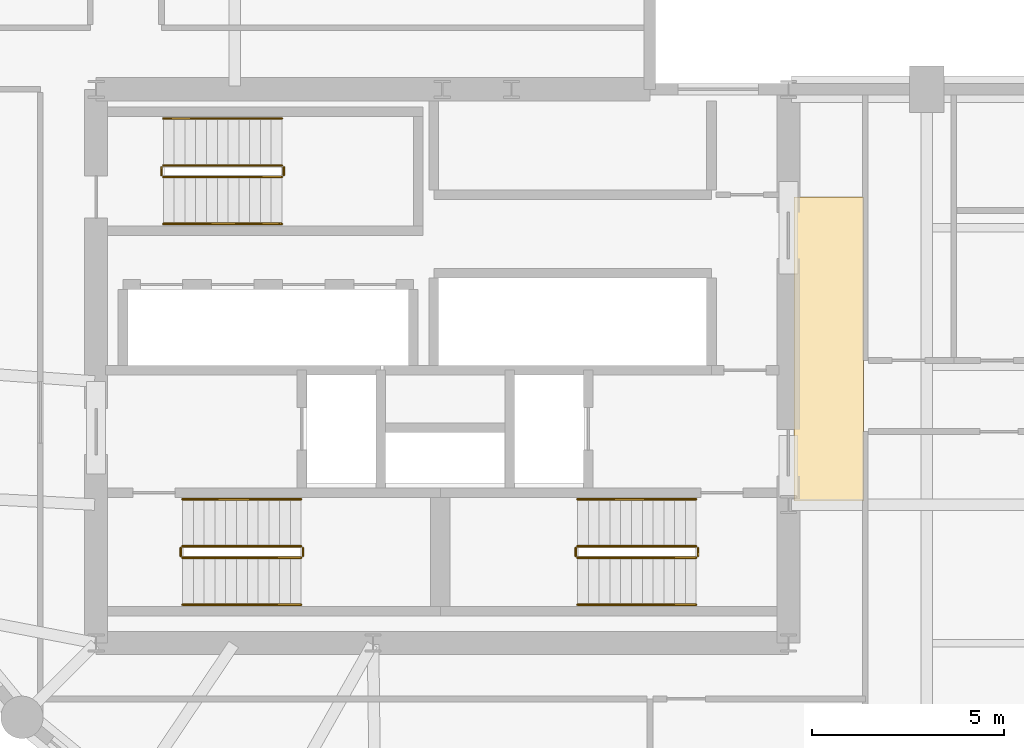
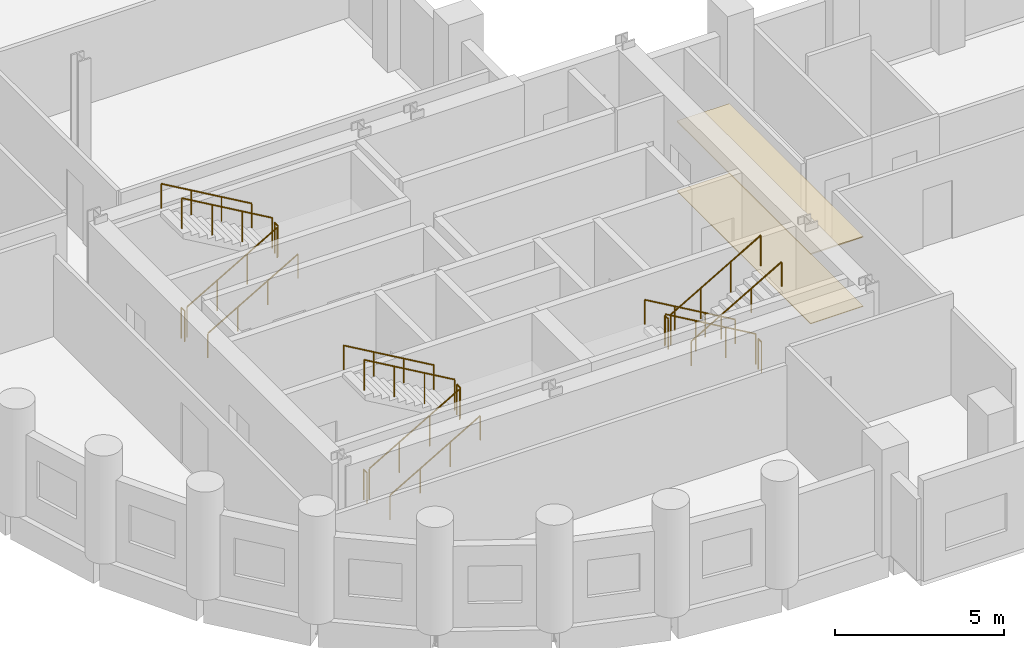
# One storey, part 9 of 9: 18 railings, 2 coverings.
"""IFC4 building model written with IfcOpenShell, lengths in metres."""

from ifc_helpers import new_model, si_unit, direction, frame, origin, origin_2d, place, context, subcontext, project, spatial, polyline, circle, outline, extrude, material, layer, layer_set, type_object, element, save


model = new_model("IFC4")

# Units and contexts
model_context = context("Model", 3, precision=1e-05, world=origin(), true_north=direction((0.0, 1.0)))
body_context = subcontext(model_context, "Body", "Model", "MODEL_VIEW")
ifc_project = project(units=[si_unit("LENGTHUNIT", "METRE"), si_unit("AREAUNIT", "SQUARE_METRE"), si_unit("VOLUMEUNIT", "CUBIC_METRE"), si_unit("PLANEANGLEUNIT", "RADIAN"), si_unit("MASSUNIT", "GRAM", prefix="KILO")], contexts=[model_context])

# Site, building, storey
site_placement = place(None, origin())
site = spatial("IfcSite", under=ifc_project, at=site_placement, CompositionType="ELEMENT")
building_placement = place(site_placement, origin())
building = spatial("IfcBuilding", under=site, at=building_placement, Name="Solnavia Interchange Tower", CompositionType="ELEMENT")
storey_placement = place(building_placement, frame((0.0, 0.0, 59.10009765625)))
storey = spatial("IfcBuildingStorey", under=building, at=storey_placement, Name="L14", CompositionType="ELEMENT", Elevation=59.10009765625)

# Coverings
ifc_material_1 = material(Name="Perforated Mineral-Fibre & Gypsum Ceiling", Category="gypsum")
ifc_layer_1 = layer(ifc_material_1, 0.0400390625)
ifc_layer_set_1 = layer_set([ifc_layer_1], Name="Perforated Mineral-Fibre & Gypsum Ceiling")
covering_type_1 = type_object("IfcCoveringType", Name="Covering-Ceiling-Acoustic40", PredefinedType="CEILING", material=ifc_layer_set_1)
covering_1_placement = place(storey_placement, frame((0.0, 0.0, 2.5)))
element("IfcCovering", 1, at=covering_1_placement, inside=storey, type_object=covering_type_1, Name="CLG-L14-01 Circulation suspended acoustic ceiling", PredefinedType="CEILING", context=body_context, shape_type="SweptSolid", body=[
    extrude(outline(polyline([(32.550048828125, 14.5), (34.35009765625, 14.5), (34.35009765625, 22.39990234375), (32.550048828125, 22.39990234375), (32.550048828125, 14.5)])), origin(), (0.0, 0.0, 1.0), 0.039794921875),
])
ifc_material_2 = material(Name="Polished Alicante Stone Terrazzo", Category="masonry")
ifc_layer_2 = layer(ifc_material_2, 0.02490234375)
ifc_layer_set_2 = layer_set([ifc_layer_2], Name="Polished Alicante Stone Terrazzo")
covering_type_2 = type_object("IfcCoveringType", Name="Covering-Flooring-Terrazzo25", PredefinedType="FLOORING", material=ifc_layer_set_2)
covering_2_placement = place(storey_placement, origin())
element("IfcCovering", 2, at=covering_2_placement, inside=storey, type_object=covering_type_2, Name="FLR-L14-01 Circulation floor finish", PredefinedType="FLOORING", context=body_context, shape_type="SweptSolid", body=[
    extrude(outline(polyline([(32.550048828125, 14.5), (34.35009765625, 14.5), (34.35009765625, 22.39990234375), (32.550048828125, 22.39990234375), (32.550048828125, 14.5)])), origin(), (0.0, 0.0, 1.0), 0.02490234375),
])

# Railings
ifc_material_3 = material(Name="Painted Steel Balustrade", Category="steel")
railing_type_1 = type_object("IfcRailingType", Name="Railing-StairGuard-1100", PredefinedType="GUARDRAIL", material=ifc_material_3)
railing_1_placement = place(storey_placement, frame((16.64990234375, 13.02001953125, 0.162353515625)))
element("IfcRailing", 3, at=railing_1_placement, inside=storey, type_object=railing_type_1, Name="L14 ST-1 stair guard 1", PredefinedType="GUARDRAIL", context=body_context, shape_type="SweptSolid", body=[
    extrude(circle(Radius=0.02392578125, at=origin_2d()), frame((0.0, 0.0, 1.09619140625), z_axis=(0.864890721111, 0.0, 0.501960198159), x_axis=(0.0, 1.0, 0.0)), (0.0, 0.0, 1.0), 3.561279296875),
    extrude(circle(Radius=0.02099609375, at=origin_2d()), origin(), (0.0, 0.0, 1.0), 1.072021484375),
    extrude(circle(Radius=0.02099609375, at=origin_2d()), frame((1.026611328125, 0.0, 0.595947265625)), (0.0, 0.0, 1.0), 1.072021484375),
    extrude(circle(Radius=0.02099609375, at=origin_2d()), frame((2.053466796875, 0.0, 1.191650390625)), (0.0, 0.0, 1.0), 1.072021484375),
    extrude(circle(Radius=0.02099609375, at=origin_2d()), frame((3.080078125, 0.0, 1.78759765625)), (0.0, 0.0, 1.0), 1.072021484375),
])
railing_2_placement = place(storey_placement, frame((19.780029296875, 13.070068359375, 1.949951171875)))
element("IfcRailing", 4, at=railing_2_placement, inside=storey, type_object=railing_type_1, Name="L14 ST-1 stair guard 2", PredefinedType="GUARDRAIL", context=body_context, shape_type="SweptSolid", body=[
    extrude(circle(Radius=0.02392578125, at=origin_2d()), frame((0.0, 0.0, 1.09619140625), z_axis=(0.0, 1.0, 0.0), x_axis=(-1.0, 0.0, 0.0)), (0.0, 0.0, 1.0), 0.199951171875),
    extrude(circle(Radius=0.02099609375, at=origin_2d()), origin(), (0.0, 0.0, 1.0), 1.072021484375),
    extrude(circle(Radius=0.02099609375, at=origin_2d()), frame((0.0, 0.199951171875, 0.0)), (0.0, 0.0, 1.0), 1.072021484375),
])
railing_3_placement = place(storey_placement, frame((19.72998046875, 13.320068359375, 2.1123046875)))
element("IfcRailing", 5, at=railing_3_placement, inside=storey, type_object=railing_type_1, Name="L14 ST-1 stair guard 3", PredefinedType="GUARDRAIL", context=body_context, shape_type="SweptSolid", body=[
    extrude(circle(Radius=0.02392578125, at=origin_2d()), frame((0.0, 0.0, 1.09619140625), z_axis=(-0.864890721111, 0.0, 0.501960198159), x_axis=(0.0, -1.0, 0.0)), (0.0, 0.0, 1.0), 3.561279296875),
    extrude(circle(Radius=0.02099609375, at=origin_2d()), origin(), (0.0, 0.0, 1.0), 1.072021484375),
    extrude(circle(Radius=0.02099609375, at=origin_2d()), frame((-1.026611328125, 0.0, 0.595947265625)), (0.0, 0.0, 1.0), 1.072021484375),
    extrude(circle(Radius=0.02099609375, at=origin_2d()), frame((-2.053466796875, 0.0, 1.191650390625)), (0.0, 0.0, 1.0), 1.072021484375),
    extrude(circle(Radius=0.02099609375, at=origin_2d()), frame((-3.080078125, 0.0, 1.78759765625)), (0.0, 0.0, 1.0), 1.072021484375),
])
railing_4_placement = place(storey_placement, frame((16.60009765625, 13.070068359375, 0.0)))
element("IfcRailing", 6, at=railing_4_placement, inside=storey, type_object=railing_type_1, Name="L14 ST-1 stair guard 4", PredefinedType="GUARDRAIL", context=body_context, shape_type="SweptSolid", body=[
    extrude(circle(Radius=0.02392578125, at=origin_2d()), frame((0.0, 0.0, 1.09619140625), z_axis=(0.0, 1.0, 0.0), x_axis=(-1.0, 0.0, 0.0)), (0.0, 0.0, 1.0), 0.199951171875),
    extrude(circle(Radius=0.02099609375, at=origin_2d()), origin(), (0.0, 0.0, 1.0), 1.072021484375),
    extrude(circle(Radius=0.02099609375, at=origin_2d()), frame((0.0, 0.199951171875, 0.0)), (0.0, 0.0, 1.0), 1.072021484375),
])
railing_5_placement = place(storey_placement, frame((30.0, 13.320068359375, 0.162353515625)))
element("IfcRailing", 7, at=railing_5_placement, inside=storey, type_object=railing_type_1, Name="L14 ST-2 stair guard 1", PredefinedType="GUARDRAIL", context=body_context, shape_type="SweptSolid", body=[
    extrude(circle(Radius=0.02392578125, at=origin_2d()), frame((0.0, 0.0, 1.09619140625), z_axis=(-0.864890721111, 0.0, 0.501960198159), x_axis=(0.0, -1.0, 0.0)), (0.0, 0.0, 1.0), 3.561279296875),
    extrude(circle(Radius=0.02099609375, at=origin_2d()), origin(), (0.0, 0.0, 1.0), 1.072021484375),
    extrude(circle(Radius=0.02099609375, at=origin_2d()), frame((-1.026611328125, 0.0, 0.595947265625)), (0.0, 0.0, 1.0), 1.072021484375),
    extrude(circle(Radius=0.02099609375, at=origin_2d()), frame((-2.053466796875, 0.0, 1.191650390625)), (0.0, 0.0, 1.0), 1.072021484375),
    extrude(circle(Radius=0.02099609375, at=origin_2d()), frame((-3.080078125, 0.0, 1.78759765625)), (0.0, 0.0, 1.0), 1.072021484375),
])
railing_6_placement = place(storey_placement, frame((26.8701171875, 13.27001953125, 1.949951171875)))
element("IfcRailing", 8, at=railing_6_placement, inside=storey, type_object=railing_type_1, Name="L14 ST-2 stair guard 2", PredefinedType="GUARDRAIL", context=body_context, shape_type="SweptSolid", body=[
    extrude(circle(Radius=0.02392578125, at=origin_2d()), frame((0.0, 0.0, 1.09619140625), z_axis=(0.0, -1.0, 0.0), x_axis=(1.0, 0.0, 0.0)), (0.0, 0.0, 1.0), 0.199951171875),
    extrude(circle(Radius=0.02099609375, at=origin_2d()), origin(), (0.0, 0.0, 1.0), 1.072021484375),
    extrude(circle(Radius=0.02099609375, at=origin_2d()), frame((0.0, -0.199951171875, 0.0)), (0.0, 0.0, 1.0), 1.072021484375),
])
railing_7_placement = place(storey_placement, frame((26.919921875, 13.02001953125, 2.1123046875)))
element("IfcRailing", 9, at=railing_7_placement, inside=storey, type_object=railing_type_1, Name="L14 ST-2 stair guard 3", PredefinedType="GUARDRAIL", context=body_context, shape_type="SweptSolid", body=[
    extrude(circle(Radius=0.02392578125, at=origin_2d()), frame((0.0, 0.0, 1.09619140625), z_axis=(0.864890721111, 0.0, 0.501960198159), x_axis=(0.0, 1.0, 0.0)), (0.0, 0.0, 1.0), 3.561279296875),
    extrude(circle(Radius=0.02099609375, at=origin_2d()), origin(), (0.0, 0.0, 1.0), 1.072021484375),
    extrude(circle(Radius=0.02099609375, at=origin_2d()), frame((1.026611328125, 0.0, 0.595947265625)), (0.0, 0.0, 1.0), 1.072021484375),
    extrude(circle(Radius=0.02099609375, at=origin_2d()), frame((2.053466796875, 0.0, 1.191650390625)), (0.0, 0.0, 1.0), 1.072021484375),
    extrude(circle(Radius=0.02099609375, at=origin_2d()), frame((3.080078125, 0.0, 1.78759765625)), (0.0, 0.0, 1.0), 1.072021484375),
])
railing_8_placement = place(storey_placement, frame((30.050048828125, 13.27001953125, 0.0)))
element("IfcRailing", 10, at=railing_8_placement, inside=storey, type_object=railing_type_1, Name="L14 ST-2 stair guard 4", PredefinedType="GUARDRAIL", context=body_context, shape_type="SweptSolid", body=[
    extrude(circle(Radius=0.02392578125, at=origin_2d()), frame((0.0, 0.0, 1.09619140625), z_axis=(0.0, -1.0, 0.0), x_axis=(1.0, 0.0, 0.0)), (0.0, 0.0, 1.0), 0.199951171875),
    extrude(circle(Radius=0.02099609375, at=origin_2d()), origin(), (0.0, 0.0, 1.0), 1.072021484375),
    extrude(circle(Radius=0.02099609375, at=origin_2d()), frame((0.0, -0.199951171875, 0.0)), (0.0, 0.0, 1.0), 1.072021484375),
])
railing_9_placement = place(storey_placement, frame((16.14990234375, 22.919921875, 0.162353515625)))
element("IfcRailing", 11, at=railing_9_placement, inside=storey, type_object=railing_type_1, Name="L14 ST-3 stair guard 1", PredefinedType="GUARDRAIL", context=body_context, shape_type="SweptSolid", body=[
    extrude(circle(Radius=0.02392578125, at=origin_2d()), frame((0.0, 0.0, 1.09619140625), z_axis=(0.864890721111, 0.0, 0.501960198159), x_axis=(0.0, 1.0, 0.0)), (0.0, 0.0, 1.0), 3.561279296875),
    extrude(circle(Radius=0.02099609375, at=origin_2d()), origin(), (0.0, 0.0, 1.0), 1.072021484375),
    extrude(circle(Radius=0.02099609375, at=origin_2d()), frame((1.026611328125, 0.0, 0.595947265625)), (0.0, 0.0, 1.0), 1.072021484375),
    extrude(circle(Radius=0.02099609375, at=origin_2d()), frame((2.053466796875, 0.0, 1.191650390625)), (0.0, 0.0, 1.0), 1.072021484375),
    extrude(circle(Radius=0.02099609375, at=origin_2d()), frame((3.080078125, 0.0, 1.78759765625)), (0.0, 0.0, 1.0), 1.072021484375),
])
railing_10_placement = place(storey_placement, frame((19.280029296875, 22.969970703125, 1.949951171875)))
element("IfcRailing", 12, at=railing_10_placement, inside=storey, type_object=railing_type_1, Name="L14 ST-3 stair guard 2", PredefinedType="GUARDRAIL", context=body_context, shape_type="SweptSolid", body=[
    extrude(circle(Radius=0.02392578125, at=origin_2d()), frame((0.0, 0.0, 1.09619140625), z_axis=(0.0, 1.0, 0.0), x_axis=(-1.0, 0.0, 0.0)), (0.0, 0.0, 1.0), 0.199951171875),
    extrude(circle(Radius=0.02099609375, at=origin_2d()), origin(), (0.0, 0.0, 1.0), 1.072021484375),
    extrude(circle(Radius=0.02099609375, at=origin_2d()), frame((0.0, 0.199951171875, 0.0)), (0.0, 0.0, 1.0), 1.072021484375),
])
railing_11_placement = place(storey_placement, frame((19.22998046875, 23.219970703125, 2.1123046875)))
element("IfcRailing", 13, at=railing_11_placement, inside=storey, type_object=railing_type_1, Name="L14 ST-3 stair guard 3", PredefinedType="GUARDRAIL", context=body_context, shape_type="SweptSolid", body=[
    extrude(circle(Radius=0.02392578125, at=origin_2d()), frame((0.0, 0.0, 1.09619140625), z_axis=(-0.864890721111, 0.0, 0.501960198159), x_axis=(0.0, -1.0, 0.0)), (0.0, 0.0, 1.0), 3.561279296875),
    extrude(circle(Radius=0.02099609375, at=origin_2d()), origin(), (0.0, 0.0, 1.0), 1.072021484375),
    extrude(circle(Radius=0.02099609375, at=origin_2d()), frame((-1.026611328125, 0.0, 0.595947265625)), (0.0, 0.0, 1.0), 1.072021484375),
    extrude(circle(Radius=0.02099609375, at=origin_2d()), frame((-2.053466796875, 0.0, 1.191650390625)), (0.0, 0.0, 1.0), 1.072021484375),
    extrude(circle(Radius=0.02099609375, at=origin_2d()), frame((-3.080078125, 0.0, 1.78759765625)), (0.0, 0.0, 1.0), 1.072021484375),
])
railing_12_placement = place(storey_placement, frame((16.10009765625, 22.969970703125, 0.0)))
element("IfcRailing", 14, at=railing_12_placement, inside=storey, type_object=railing_type_1, Name="L14 ST-3 stair guard 4", PredefinedType="GUARDRAIL", context=body_context, shape_type="SweptSolid", body=[
    extrude(circle(Radius=0.02392578125, at=origin_2d()), frame((0.0, 0.0, 1.09619140625), z_axis=(0.0, 1.0, 0.0), x_axis=(-1.0, 0.0, 0.0)), (0.0, 0.0, 1.0), 0.199951171875),
    extrude(circle(Radius=0.02099609375, at=origin_2d()), origin(), (0.0, 0.0, 1.0), 1.072021484375),
    extrude(circle(Radius=0.02099609375, at=origin_2d()), frame((0.0, 0.199951171875, 0.0)), (0.0, 0.0, 1.0), 1.072021484375),
])
ifc_material_4 = material(Name="Brushed Stainless Steel", Category="steel")
railing_type_2 = type_object("IfcRailingType", Name="Railing-StairHandrail-900", PredefinedType="HANDRAIL", material=ifc_material_4)
railing_13_placement = place(storey_placement, frame((16.64990234375, 11.800048828125, 0.162353515625)))
element("IfcRailing", 15, at=railing_13_placement, inside=storey, type_object=railing_type_2, Name="L14 ST-1 stair handrail 1", PredefinedType="HANDRAIL", context=body_context, shape_type="SweptSolid", body=[
    extrude(circle(Radius=0.02392578125, at=origin_2d()), frame((0.0, 0.0, 0.8759765625), z_axis=(0.864890721111, 0.0, 0.501960198159), x_axis=(0.0, 1.0, 0.0)), (0.0, 0.0, 1.0), 3.561279296875),
    extrude(circle(Radius=0.02099609375, at=origin_2d()), origin(), (0.0, 0.0, 1.0), 0.851806640625),
    extrude(circle(Radius=0.02099609375, at=origin_2d()), frame((1.026611328125, 0.0, 0.595947265625)), (0.0, 0.0, 1.0), 0.851806640625),
    extrude(circle(Radius=0.02099609375, at=origin_2d()), frame((2.053466796875, 0.0, 1.191650390625)), (0.0, 0.0, 1.0), 0.851806640625),
    extrude(circle(Radius=0.02099609375, at=origin_2d()), frame((3.080078125, 0.0, 1.78759765625)), (0.0, 0.0, 1.0), 0.851806640625),
])
for number, where, name in (
    (16, (19.72998046875, 14.5400390625, 2.1123046875), "L14 ST-1 stair handrail 2"),
    (17, (30.0, 14.5400390625, 0.162353515625), "L14 ST-2 stair handrail 1"),
):
    element("IfcRailing", number, at=place(storey_placement, frame(where)), inside=storey, type_object=railing_type_2, Name=name, PredefinedType="HANDRAIL", context=body_context, shape_type="SweptSolid", body=[
        extrude(circle(Radius=0.02392578125, at=origin_2d()), frame((0.0, 0.0, 0.8759765625), z_axis=(-0.864890721111, 0.0, 0.501960198159), x_axis=(0.0, -1.0, 0.0)), (0.0, 0.0, 1.0), 3.561279296875),
        extrude(circle(Radius=0.02099609375, at=origin_2d()), origin(), (0.0, 0.0, 1.0), 0.851806640625),
        extrude(circle(Radius=0.02099609375, at=origin_2d()), frame((-1.026611328125, 0.0, 0.595947265625)), (0.0, 0.0, 1.0), 0.851806640625),
        extrude(circle(Radius=0.02099609375, at=origin_2d()), frame((-2.053466796875, 0.0, 1.191650390625)), (0.0, 0.0, 1.0), 0.851806640625),
        extrude(circle(Radius=0.02099609375, at=origin_2d()), frame((-3.080078125, 0.0, 1.78759765625)), (0.0, 0.0, 1.0), 0.851806640625),
    ])
for number, where, name in (
    (18, (26.919921875, 11.800048828125, 2.1123046875), "L14 ST-2 stair handrail 2"),
    (19, (16.14990234375, 21.699951171875, 0.162353515625), "L14 ST-3 stair handrail 1"),
):
    element("IfcRailing", number, at=place(storey_placement, frame(where)), inside=storey, type_object=railing_type_2, Name=name, PredefinedType="HANDRAIL", context=body_context, shape_type="SweptSolid", body=[
        extrude(circle(Radius=0.02392578125, at=origin_2d()), frame((0.0, 0.0, 0.8759765625), z_axis=(0.864890721111, 0.0, 0.501960198159), x_axis=(0.0, 1.0, 0.0)), (0.0, 0.0, 1.0), 3.561279296875),
        extrude(circle(Radius=0.02099609375, at=origin_2d()), origin(), (0.0, 0.0, 1.0), 0.851806640625),
        extrude(circle(Radius=0.02099609375, at=origin_2d()), frame((1.026611328125, 0.0, 0.595947265625)), (0.0, 0.0, 1.0), 0.851806640625),
        extrude(circle(Radius=0.02099609375, at=origin_2d()), frame((2.053466796875, 0.0, 1.191650390625)), (0.0, 0.0, 1.0), 0.851806640625),
        extrude(circle(Radius=0.02099609375, at=origin_2d()), frame((3.080078125, 0.0, 1.78759765625)), (0.0, 0.0, 1.0), 0.851806640625),
    ])
railing_14_placement = place(storey_placement, frame((19.22998046875, 24.43994140625, 2.1123046875)))
element("IfcRailing", 20, at=railing_14_placement, inside=storey, type_object=railing_type_2, Name="L14 ST-3 stair handrail 2", PredefinedType="HANDRAIL", context=body_context, shape_type="SweptSolid", body=[
    extrude(circle(Radius=0.02392578125, at=origin_2d()), frame((0.0, 0.0, 0.8759765625), z_axis=(-0.864890721111, 0.0, 0.501960198159), x_axis=(0.0, -1.0, 0.0)), (0.0, 0.0, 1.0), 3.561279296875),
    extrude(circle(Radius=0.02099609375, at=origin_2d()), origin(), (0.0, 0.0, 1.0), 0.851806640625),
    extrude(circle(Radius=0.02099609375, at=origin_2d()), frame((-1.026611328125, 0.0, 0.595947265625)), (0.0, 0.0, 1.0), 0.851806640625),
    extrude(circle(Radius=0.02099609375, at=origin_2d()), frame((-2.053466796875, 0.0, 1.191650390625)), (0.0, 0.0, 1.0), 0.851806640625),
    extrude(circle(Radius=0.02099609375, at=origin_2d()), frame((-3.080078125, 0.0, 1.78759765625)), (0.0, 0.0, 1.0), 0.851806640625),
])

save(model, "model.ifc")
